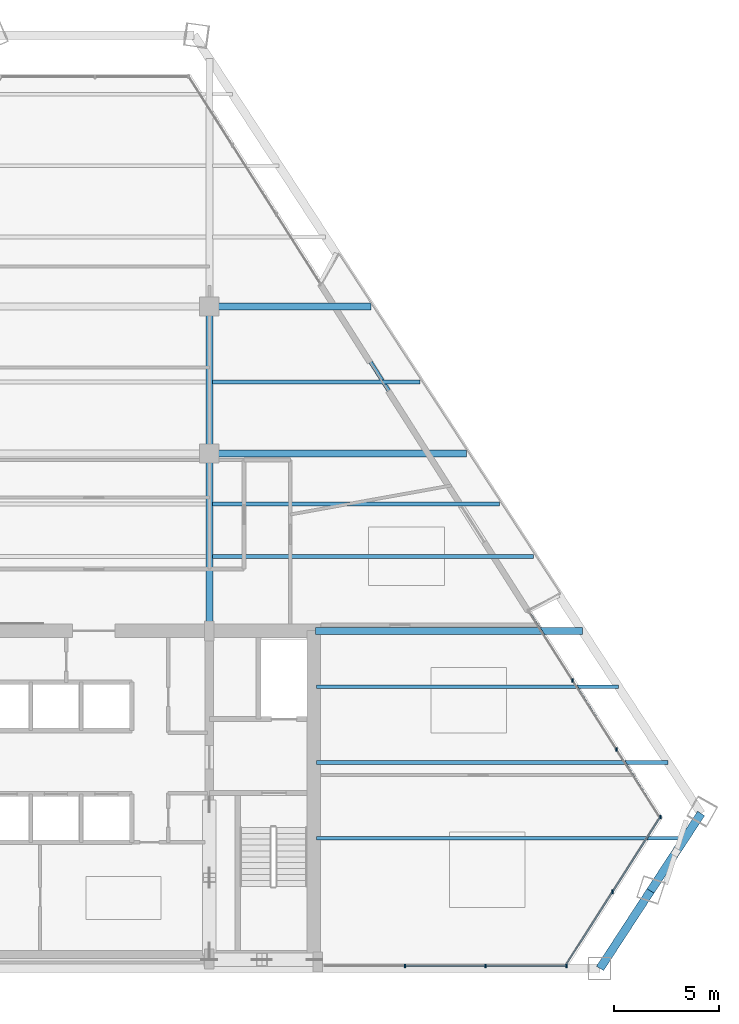
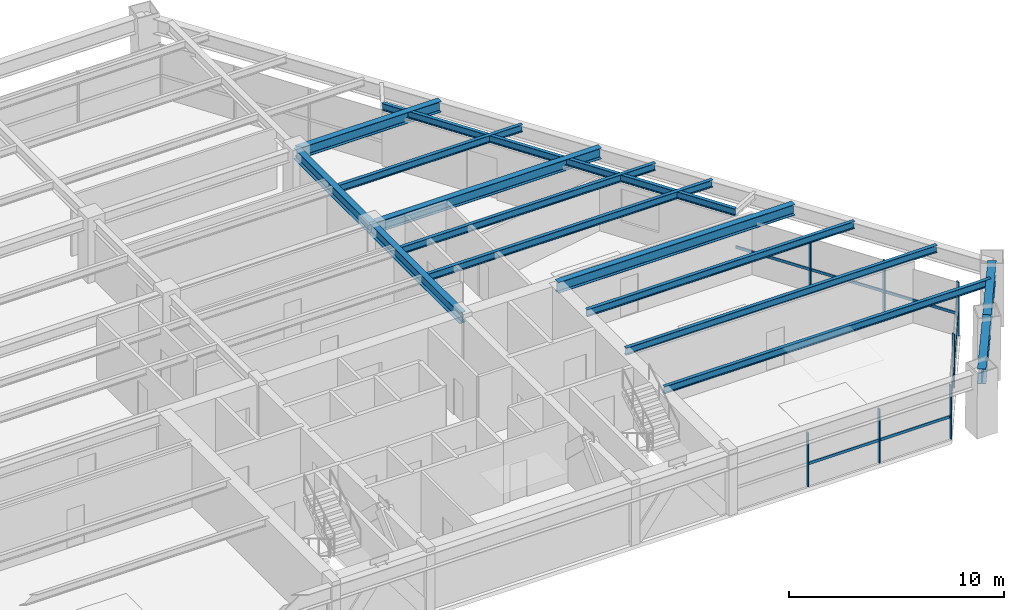
# One storey, part 6 of 15: 14 beams, 14 members, 3 elements without a shape of their own.
"""IFC4 building model written with IfcOpenShell, lengths in metres."""

from ifc_helpers import new_model, si_unit, direction, frame, origin, origin_2d, place, context, subcontext, project, spatial, rectangle, i_section, extrude, source, transform, mapped, material, material_profile, profile_set, type_object, type_shapes, element, aggregate, save


model = new_model("IFC4")

# Units and contexts
model_context = context("Model", 3, precision=1e-05, world=origin(), true_north=direction((0.0, 1.0)))
body_context = subcontext(model_context, "Body", "Model", "MODEL_VIEW")
ifc_project = project(units=[si_unit("LENGTHUNIT", "METRE"), si_unit("AREAUNIT", "SQUARE_METRE"), si_unit("VOLUMEUNIT", "CUBIC_METRE"), si_unit("PLANEANGLEUNIT", "RADIAN"), si_unit("MASSUNIT", "GRAM", prefix="KILO")], contexts=[model_context])

# Site, building, storey
site_placement = place(None, origin())
site = spatial("IfcSite", under=ifc_project, at=site_placement, CompositionType="ELEMENT")
building_placement = place(site_placement, origin())
building = spatial("IfcBuilding", under=site, at=building_placement, Name="Varnakhor Terracotta Tower", CompositionType="ELEMENT")
storey_placement = place(building_placement, frame((0.0, 0.0, 158.89990234375)))
storey = spatial("IfcBuildingStorey", under=building, at=storey_placement, Name="L40", CompositionType="ELEMENT", Elevation=158.89990234375)

# Beams
ifc_material_1 = material(Name="Steel S355", Category="steel")
ifc_material_profile_1 = material_profile(ifc_material_1, i_section(OverallWidth=0.324951171875, OverallDepth=0.615966796875, WebThickness=0.013916015625, FlangeThickness=0.02197265625, FilletRadius=0.01806640625, at=origin_2d()), Name="W24X117")
ifc_profile_set_1 = profile_set([ifc_material_profile_1], Name="Steel S355")
beam_type_1 = type_object("IfcBeamType", Name="BM-W24X117", PredefinedType="BEAM", material=ifc_profile_set_1)
shared_shape_1 = source(origin(), body_context, "Body", "SweptSolid", [
    extrude(i_section(OverallWidth=0.324951171875, OverallDepth=0.615966796875, WebThickness=0.013916015625, FlangeThickness=0.02197265625, FilletRadius=0.01806640625, at=origin_2d()), origin(), (0.0, 0.0, 1.0), 8.449951171875),
])
type_shapes(beam_type_1, [shared_shape_1])
beam_1_placement = place(storey_placement, frame((5.5, 16.050048828125, 3.162109375), z_axis=(0.0, 1.0, 0.0), x_axis=(-1.0, 0.0, 0.0)))
element("IfcBeam", 1, at=beam_1_placement, inside=storey, type_object=beam_type_1, Name="L40 Primary Girder NS1-E", PredefinedType="BEAM", context=body_context, shape_type="MappedRepresentation", body=[
    mapped(shared_shape_1, transform((0.0, 0.0, 0.0), scale=1.0)),
])
shared_shape_2 = source(origin(), body_context, "Body", "SweptSolid", [
    extrude(i_section(OverallWidth=0.324951171875, OverallDepth=0.615966796875, WebThickness=0.013916015625, FlangeThickness=0.02197265625, FilletRadius=0.01806640625, at=origin_2d()), origin(), (0.0, 0.0, 1.0), 7.0),
])
beam_2_placement = place(storey_placement, frame((5.5, 24.5, 3.162109375), z_axis=(0.0, 1.0, 0.0), x_axis=(-1.0, 0.0, 0.0)))
element("IfcBeam", 2, at=beam_2_placement, inside=storey, type_object=beam_type_1, Name="L40 Primary Girder NS2-E", PredefinedType="BEAM", context=body_context, shape_type="MappedRepresentation", body=[
    mapped(shared_shape_2, transform((0.0, 0.0, 0.0), scale=1.0)),
])
ifc_material_profile_2 = material_profile(ifc_material_1, i_section(OverallWidth=0.39990234375, OverallDepth=0.85498046875, WebThickness=0.01806640625, FlangeThickness=0.029052734375, FilletRadius=0.01806640625, at=origin_2d()), Name="W33X201")
ifc_profile_set_2 = profile_set([ifc_material_profile_2], Name="Steel S355")
beam_type_2 = type_object("IfcBeamType", Name="BM-W33X201", PredefinedType="BEAM", material=ifc_profile_set_2)
shared_shape_3 = source(origin(), body_context, "Body", "SweptSolid", [
    extrude(i_section(OverallWidth=0.39990234375, OverallDepth=0.85498046875, WebThickness=0.01806640625, FlangeThickness=0.029052734375, FilletRadius=0.01806640625, at=origin_2d()), origin(), (0.0, 0.0, 1.0), 4.401611328125),
])
for number, where, z_axis, x_axis, name in (
    (3, (24.0908203125, 0.0, 3.04248046875), (0.54632699544, 0.837571975446, 0.0), (-0.837571975446, 0.54632699544, 0.0), "L40 Perimeter Spandrel 2"),
    (4, (26.49560546875, 3.686767578125, 3.04248046875), (0.5463912848, 0.837530037608, 0.0), (-0.837530037608, 0.5463912848, 0.0), "L40 Perimeter Spandrel 3"),
):
    element("IfcBeam", number, at=place(storey_placement, frame(where, z_axis=z_axis, x_axis=x_axis)), inside=storey, type_object=beam_type_2, Name=name, PredefinedType="BEAM", context=body_context, shape_type="MappedRepresentation", body=[
        mapped(shared_shape_3, transform((0.0, 0.0, 0.0), scale=1.0)),
    ])
ifc_material_profile_3 = material_profile(ifc_material_1, i_section(OverallWidth=0.179931640625, OverallDepth=0.39990234375, WebThickness=0.008544921875, FlangeThickness=0.013427734375, FilletRadius=0.01806640625, at=origin_2d()), Name="IPE400")
ifc_profile_set_3 = profile_set([ifc_material_profile_3], Name="Steel S355")
beam_type_3 = type_object("IfcBeamType", Name="JST-IPE400", PredefinedType="JOIST", material=ifc_profile_set_3)
shared_shape_4 = source(origin(), body_context, "Body", "SweptSolid", [
    extrude(i_section(OverallWidth=0.179931640625, OverallDepth=0.39990234375, WebThickness=0.008544921875, FlangeThickness=0.013427734375, FilletRadius=0.01806640625, at=origin_2d()), origin(), (0.0, 0.0, 1.0), 18.504638671875),
])
beam_3_placement = place(storey_placement, frame((20.699462890625, 17.005859375, 3.27001953125), z_axis=(-0.536286313739, 0.844036130563, 0.0), x_axis=(-0.844036130563, -0.536286313739, 0.0)))
element("IfcBeam", 5, at=beam_3_placement, inside=storey, type_object=beam_type_3, Name="L40 Loggia Edge Beam 1", PredefinedType="JOIST", context=body_context, shape_type="MappedRepresentation", body=[
    mapped(shared_shape_4, transform((0.0, 0.0, 0.0), scale=1.0)),
])
shared_shape_5 = source(origin(), body_context, "Body", "SweptSolid", [
    extrude(i_section(OverallWidth=0.324951171875, OverallDepth=0.615966796875, WebThickness=0.013916015625, FlangeThickness=0.02197265625, FilletRadius=0.01806640625, at=origin_2d()), origin(), (0.0, 0.0, 1.0), 12.69775390625),
])
beam_4_placement = place(storey_placement, frame((10.550048828125, 16.050048828125, 3.162109375), z_axis=(1.0, 0.0, 0.0), x_axis=(0.0, 1.0, 0.0)))
element("IfcBeam", 6, at=beam_4_placement, inside=storey, type_object=beam_type_1, Name="L40 Wing Girder E", PredefinedType="BEAM", context=body_context, shape_type="MappedRepresentation", body=[
    mapped(shared_shape_5, transform((0.0, 0.0, 0.0), scale=1.0)),
])
shared_shape_6 = source(origin(), body_context, "Body", "SweptSolid", [
    extrude(i_section(OverallWidth=0.324951171875, OverallDepth=0.615966796875, WebThickness=0.013916015625, FlangeThickness=0.02197265625, FilletRadius=0.01806640625, at=origin_2d()), origin(), (0.0, 0.0, 1.0), 12.242431640625),
])
beam_5_placement = place(storey_placement, frame((5.5, 24.5, 3.162109375), z_axis=(1.0, 0.0, 0.0), x_axis=(0.0, 1.0, 0.0)))
element("IfcBeam", 7, at=beam_5_placement, inside=storey, type_object=beam_type_1, Name="L40 Primary Girder EW2-3", PredefinedType="BEAM", context=body_context, shape_type="MappedRepresentation", body=[
    mapped(shared_shape_6, transform((0.0, 0.0, 0.0), scale=1.0)),
])
shared_shape_7 = source(origin(), body_context, "Body", "SweptSolid", [
    extrude(i_section(OverallWidth=0.324951171875, OverallDepth=0.615966796875, WebThickness=0.013916015625, FlangeThickness=0.02197265625, FilletRadius=0.01806640625, at=origin_2d()), origin(), (0.0, 0.0, 1.0), 7.681884765625),
])
beam_6_placement = place(storey_placement, frame((5.5, 31.5, 3.162109375), z_axis=(1.0, 0.0, 0.0), x_axis=(0.0, 1.0, 0.0)))
element("IfcBeam", 8, at=beam_6_placement, inside=storey, type_object=beam_type_1, Name="L40 Primary Girder EW3-3", PredefinedType="BEAM", context=body_context, shape_type="MappedRepresentation", body=[
    mapped(shared_shape_7, transform((0.0, 0.0, 0.0), scale=1.0)),
])
ifc_material_profile_4 = material_profile(ifc_material_1, i_section(OverallWidth=0.179931640625, OverallDepth=0.4130859375, WebThickness=0.009765625, FlangeThickness=0.01611328125, FilletRadius=0.01806640625, at=origin_2d()), Name="W16X50")
ifc_profile_set_4 = profile_set([ifc_material_profile_4], Name="Steel S355")
beam_type_4 = type_object("IfcBeamType", Name="JST-W16X50", PredefinedType="JOIST", material=ifc_profile_set_4)
shared_shape_8 = source(origin(), body_context, "Body", "SweptSolid", [
    extrude(i_section(OverallWidth=0.179931640625, OverallDepth=0.4130859375, WebThickness=0.009765625, FlangeThickness=0.01611328125, FilletRadius=0.01806640625, at=origin_2d()), origin(), (0.0, 0.0, 1.0), 17.53515625),
])
beam_7_placement = place(storey_placement, frame((10.60009765625, 6.199951171875, 3.263671875), z_axis=(1.0, 0.0, 0.0), x_axis=(0.0, 1.0, 0.0)))
element("IfcBeam", 9, at=beam_7_placement, inside=storey, type_object=beam_type_4, Name="L40 Floor Joist E1", PredefinedType="JOIST", context=body_context, shape_type="MappedRepresentation", body=[
    mapped(shared_shape_8, transform((0.0, 0.0, 0.0), scale=1.0)),
])
shared_shape_9 = source(origin(), body_context, "Body", "SweptSolid", [
    extrude(i_section(OverallWidth=0.179931640625, OverallDepth=0.4130859375, WebThickness=0.009765625, FlangeThickness=0.01611328125, FilletRadius=0.01806640625, at=origin_2d()), origin(), (0.0, 0.0, 1.0), 16.719482421875),
])
beam_8_placement = place(storey_placement, frame((10.60009765625, 9.800048828125, 3.263671875), z_axis=(1.0, 0.0, 0.0), x_axis=(0.0, 1.0, 0.0)))
element("IfcBeam", 10, at=beam_8_placement, inside=storey, type_object=beam_type_4, Name="L40 Floor Joist E2", PredefinedType="JOIST", context=body_context, shape_type="MappedRepresentation", body=[
    mapped(shared_shape_9, transform((0.0, 0.0, 0.0), scale=1.0)),
])
shared_shape_10 = source(origin(), body_context, "Body", "SweptSolid", [
    extrude(i_section(OverallWidth=0.179931640625, OverallDepth=0.4130859375, WebThickness=0.009765625, FlangeThickness=0.01611328125, FilletRadius=0.01806640625, at=origin_2d()), origin(), (0.0, 0.0, 1.0), 14.3740234375),
])
beam_9_placement = place(storey_placement, frame((10.60009765625, 13.39990234375, 3.263671875), z_axis=(1.0, 0.0, 0.0), x_axis=(0.0, 1.0, 0.0)))
element("IfcBeam", 11, at=beam_9_placement, inside=storey, type_object=beam_type_4, Name="L40 Floor Joist E3", PredefinedType="JOIST", context=body_context, shape_type="MappedRepresentation", body=[
    mapped(shared_shape_10, transform((0.0, 0.0, 0.0), scale=1.0)),
])
shared_shape_11 = source(origin(), body_context, "Body", "SweptSolid", [
    extrude(i_section(OverallWidth=0.179931640625, OverallDepth=0.4130859375, WebThickness=0.009765625, FlangeThickness=0.01611328125, FilletRadius=0.01806640625, at=origin_2d()), origin(), (0.0, 0.0, 1.0), 15.2763671875),
])
beam_10_placement = place(storey_placement, frame((5.658447265625, 19.60009765625, 3.263671875), z_axis=(1.0, 0.0, 0.0), x_axis=(0.0, 1.0, 0.0)))
element("IfcBeam", 12, at=beam_10_placement, inside=storey, type_object=beam_type_4, Name="L40 Composite Floor Joist 4-3", PredefinedType="JOIST", context=body_context, shape_type="MappedRepresentation", body=[
    mapped(shared_shape_11, transform((0.0, 0.0, 0.0), scale=1.0)),
])
shared_shape_12 = source(origin(), body_context, "Body", "SweptSolid", [
    extrude(i_section(OverallWidth=0.179931640625, OverallDepth=0.4130859375, WebThickness=0.009765625, FlangeThickness=0.01611328125, FilletRadius=0.01806640625, at=origin_2d()), origin(), (0.0, 0.0, 1.0), 13.647705078125),
])
beam_11_placement = place(storey_placement, frame((5.658447265625, 22.10009765625, 3.263671875), z_axis=(1.0, 0.0, 0.0), x_axis=(0.0, 1.0, 0.0)))
element("IfcBeam", 13, at=beam_11_placement, inside=storey, type_object=beam_type_4, Name="L40 Composite Floor Joist 5-3", PredefinedType="JOIST", context=body_context, shape_type="MappedRepresentation", body=[
    mapped(shared_shape_12, transform((0.0, 0.0, 0.0), scale=1.0)),
])
shared_shape_13 = source(origin(), body_context, "Body", "SweptSolid", [
    extrude(i_section(OverallWidth=0.179931640625, OverallDepth=0.4130859375, WebThickness=0.009765625, FlangeThickness=0.01611328125, FilletRadius=0.01806640625, at=origin_2d()), origin(), (0.0, 0.0, 1.0), 9.868896484375),
])
beam_12_placement = place(storey_placement, frame((5.658447265625, 27.89990234375, 3.263671875), z_axis=(1.0, 0.0, 0.0), x_axis=(0.0, 1.0, 0.0)))
element("IfcBeam", 14, at=beam_12_placement, inside=storey, type_object=beam_type_4, Name="L40 Composite Floor Joist 6-3", PredefinedType="JOIST", context=body_context, shape_type="MappedRepresentation", body=[
    mapped(shared_shape_13, transform((0.0, 0.0, 0.0), scale=1.0)),
])

# Curtain wall, members
ifc_material_2 = material(Name="Anodised Aluminium Curtain Wall System", Category="aluminium")
curtain_wall_type = type_object("IfcCurtainWallType", Name="CW-SYS-MID-OFFICE", PredefinedType="NOTDEFINED", material=ifc_material_2)
curtain_wall_1_placement = place(storey_placement, origin())
curtain_wall_1 = element("IfcCurtainWall", 15, at=curtain_wall_1_placement, inside=storey, type_object=curtain_wall_type, Name="L40 E Facet Curtain Wall 2", PredefinedType="NOTDEFINED")
ifc_material_3 = material(Name="Anodised Aluminium 6063-T6", Category="aluminium")
ifc_material_profile_5 = material_profile(ifc_material_3, rectangle(XDim=0.070068359375, YDim=0.175048828125, at=origin_2d()), Name="ALU MULLION 70x175")
ifc_profile_set_5 = profile_set([ifc_material_profile_5], Name="Anodised Aluminium 6063-T6")
member_type_1 = type_object("IfcMemberType", Name="CWM-03", PredefinedType="MULLION", material=ifc_profile_set_5)
shared_shape_14 = source(origin(), body_context, "Body", "SweptSolid", [
    extrude(rectangle(XDim=0.070068359375, YDim=0.175048828125, at=origin_2d()), origin(), (0.0, 0.0, 1.0), 3.050048828125),
])
member_1_placement = place(storey_placement, frame((22.7880859375, 13.704345703125, 0.0), z_axis=(0.0, 0.0, 1.0), x_axis=(1.0, 0.0, 0.0)))
member_1 = element("IfcMember", 16, at=member_1_placement, type_object=member_type_1, Name="L40 E Facet Curtain Wall 2 Mullion 2", PredefinedType="MULLION", context=body_context, shape_type="MappedRepresentation", body=[
    mapped(shared_shape_14, transform((0.0, 0.0, 0.0), scale=1.0)),
])
member_2_placement = place(storey_placement, frame((24.8759765625, 10.41943359375, 0.0), z_axis=(0.0, 0.0, 1.0), x_axis=(1.0, 0.0, 0.0)))
member_2 = element("IfcMember", 17, at=member_2_placement, type_object=member_type_1, Name="L40 E Facet Curtain Wall 2 Mullion 3", PredefinedType="MULLION", context=body_context, shape_type="MappedRepresentation", body=[
    mapped(shared_shape_14, transform((0.0, 0.0, 0.0), scale=1.0)),
])

curtain_wall_2_placement = place(storey_placement, origin())
curtain_wall_2 = element("IfcCurtainWall", 18, at=curtain_wall_2_placement, inside=storey, type_object=curtain_wall_type, Name="L40 Facet Curtain Wall 4", PredefinedType="NOTDEFINED")
member_3_placement = place(storey_placement, frame((26.964111328125, 7.212890625, 0.0), z_axis=(0.0, 0.0, 1.0), x_axis=(1.0, 0.0, 0.0)))
member_3 = element("IfcMember", 19, at=member_3_placement, type_object=member_type_1, Name="L40 Facet Curtain Wall 4 Mullion 1", PredefinedType="MULLION", context=body_context, shape_type="MappedRepresentation", body=[
    mapped(shared_shape_14, transform((0.0, 0.0, 0.0), scale=1.0)),
])
member_4_placement = place(storey_placement, frame((24.689208984375, 3.6513671875, 0.0), z_axis=(0.0, 0.0, 1.0), x_axis=(1.0, 0.0, 0.0)))
member_4 = element("IfcMember", 20, at=member_4_placement, type_object=member_type_1, Name="L40 Facet Curtain Wall 4 Mullion 2", PredefinedType="MULLION", context=body_context, shape_type="MappedRepresentation", body=[
    mapped(shared_shape_14, transform((0.0, 0.0, 0.0), scale=1.0)),
])

curtain_wall_3_placement = place(storey_placement, origin())
curtain_wall_3 = element("IfcCurtainWall", 21, at=curtain_wall_3_placement, inside=storey, type_object=curtain_wall_type, Name="L40 South Wing Curtain Wall SSE", PredefinedType="NOTDEFINED")
member_5_placement = place(storey_placement, frame((22.4892578125, 0.1201171875, 0.0), z_axis=(0.0, 0.0, 1.0), x_axis=(1.0, 0.0, 0.0)))
member_5 = element("IfcMember", 22, at=member_5_placement, type_object=member_type_1, Name="L40 South Wing Curtain Wall SSE Mullion 1", PredefinedType="MULLION", context=body_context, shape_type="MappedRepresentation", body=[
    mapped(shared_shape_14, transform((0.0, 0.0, 0.0), scale=1.0)),
])
member_6_placement = place(storey_placement, frame((18.6494140625, 0.1201171875, 0.0), z_axis=(0.0, 0.0, 1.0), x_axis=(1.0, 0.0, 0.0)))
member_6 = element("IfcMember", 23, at=member_6_placement, type_object=member_type_1, Name="L40 South Wing Curtain Wall SSE Mullion 2", PredefinedType="MULLION", context=body_context, shape_type="MappedRepresentation", body=[
    mapped(shared_shape_14, transform((0.0, 0.0, 0.0), scale=1.0)),
])
member_7_placement = place(storey_placement, frame((14.809814453125, 0.1201171875, 0.0), z_axis=(0.0, 0.0, 1.0), x_axis=(1.0, 0.0, 0.0)))
member_7 = element("IfcMember", 24, at=member_7_placement, type_object=member_type_1, Name="L40 South Wing Curtain Wall SSE Mullion 3", PredefinedType="MULLION", context=body_context, shape_type="MappedRepresentation", body=[
    mapped(shared_shape_14, transform((0.0, 0.0, 0.0), scale=1.0)),
])
ifc_material_profile_6 = material_profile(ifc_material_3, rectangle(XDim=0.070068359375, YDim=0.155029296875, at=origin_2d()), Name="ALU TRANSOM 70x155")
ifc_profile_set_6 = profile_set([ifc_material_profile_6], Name="Anodised Aluminium 6063-T6")
member_type_2 = type_object("IfcMemberType", Name="CWT-03", PredefinedType="USERDEFINED", material=ifc_profile_set_6)
shared_shape_15 = source(origin(), body_context, "Body", "SweptSolid", [
    extrude(rectangle(XDim=0.070068359375, YDim=0.155029296875, at=origin_2d()), origin(), (0.0, 0.0, 1.0), 3.83984375),
])
member_8_placement = place(storey_placement, frame((22.4892578125, 0.1201171875, 1.281005859375), z_axis=(-1.0, 0.0, 0.0), x_axis=(0.0, -1.0, 0.0)))
member_8 = element("IfcMember", 25, at=member_8_placement, type_object=member_type_2, Name="L40 South Wing Curtain Wall SSE Transom 1", ObjectType="TRANSOM", PredefinedType="USERDEFINED", context=body_context, shape_type="MappedRepresentation", body=[
    mapped(shared_shape_15, transform((0.0, 0.0, 0.0), scale=1.0)),
])
shared_shape_16 = source(origin(), body_context, "Body", "SweptSolid", [
    extrude(rectangle(XDim=0.070068359375, YDim=0.155029296875, at=origin_2d()), origin(), (0.0, 0.0, 1.0), 3.839599609375),
])
member_9_placement = place(storey_placement, frame((18.6494140625, 0.1201171875, 1.281005859375), z_axis=(-1.0, 0.0, 0.0), x_axis=(0.0, -1.0, 0.0)))
member_9 = element("IfcMember", 26, at=member_9_placement, type_object=member_type_2, Name="L40 South Wing Curtain Wall SSE Transom 2", ObjectType="TRANSOM", PredefinedType="USERDEFINED", context=body_context, shape_type="MappedRepresentation", body=[
    mapped(shared_shape_16, transform((0.0, 0.0, 0.0), scale=1.0)),
])
aggregate(curtain_wall_3, [member_5, member_8, member_6, member_9, member_7])

# Member
shared_shape_17 = source(origin(), body_context, "Body", "SweptSolid", [
    extrude(rectangle(XDim=0.070068359375, YDim=0.155029296875, at=origin_2d()), origin(), (0.0, 0.0, 1.0), 3.892333984375),
])
member_10_placement = place(storey_placement, frame((22.7880859375, 13.704345703125, 1.281005859375), z_axis=(0.536416788761, -0.843953214778, 0.0), x_axis=(0.843953214778, 0.536416788761, 0.0)))
member_10 = element("IfcMember", 27, at=member_10_placement, type_object=member_type_2, Name="L40 E Facet Curtain Wall 2 Transom 2", ObjectType="TRANSOM", PredefinedType="USERDEFINED", context=body_context, shape_type="MappedRepresentation", body=[
    mapped(shared_shape_17, transform((0.0, 0.0, 0.0), scale=1.0)),
])

member_11_placement = place(storey_placement, frame((24.8759765625, 10.41943359375, 1.281005859375), z_axis=(0.536416788761, -0.843953214778, 0.0), x_axis=(0.843953214778, 0.536416788761, 0.0)))
member_11 = element("IfcMember", 28, at=member_11_placement, type_object=member_type_2, Name="L40 E Facet Curtain Wall 2 Transom 3", ObjectType="TRANSOM", PredefinedType="USERDEFINED", context=body_context, shape_type="MappedRepresentation", body=[
    mapped(shared_shape_17, transform((0.0, 0.0, 0.0), scale=1.0)),
])

shared_shape_18 = source(origin(), body_context, "Body", "SweptSolid", [
    extrude(rectangle(XDim=0.070068359375, YDim=0.155029296875, at=origin_2d()), origin(), (0.0, 0.0, 1.0), 3.89208984375),
])
member_12_placement = place(storey_placement, frame((20.7001953125, 16.989013671875, 1.281005859375), z_axis=(0.536445185846, -0.843935164917, 0.0), x_axis=(0.843935164917, 0.536445185846, 0.0)))
member_12 = element("IfcMember", 29, at=member_12_placement, type_object=member_type_2, Name="L40 E Facet Curtain Wall 2 Transom 1", ObjectType="TRANSOM", PredefinedType="USERDEFINED", context=body_context, shape_type="MappedRepresentation", body=[
    mapped(shared_shape_18, transform((0.0, 0.0, 0.0), scale=1.0)),
])

aggregate(curtain_wall_1, [member_12, member_1, member_10, member_2, member_11])

shared_shape_19 = source(origin(), body_context, "Body", "SweptSolid", [
    extrude(rectangle(XDim=0.070068359375, YDim=0.155029296875, at=origin_2d()), origin(), (0.0, 0.0, 1.0), 4.22607421875),
])
member_13_placement = place(storey_placement, frame((26.964111328125, 7.212890625, 1.281005859375), z_axis=(-0.53830266645, -0.842751588128, 0.0), x_axis=(0.842751588128, -0.53830266645, 0.0)))
member_13 = element("IfcMember", 30, at=member_13_placement, type_object=member_type_2, Name="L40 Facet Curtain Wall 4 Transom 1", ObjectType="TRANSOM", PredefinedType="USERDEFINED", context=body_context, shape_type="MappedRepresentation", body=[
    mapped(shared_shape_19, transform((0.0, 0.0, 0.0), scale=1.0)),
])

member_14_placement = place(storey_placement, frame((24.689208984375, 3.6513671875, 1.281005859375), z_axis=(-0.53830266645, -0.842751588128, 0.0), x_axis=(0.842751588128, -0.53830266645, 0.0)))
member_14 = element("IfcMember", 31, at=member_14_placement, type_object=member_type_2, Name="L40 Facet Curtain Wall 4 Transom 2", ObjectType="TRANSOM", PredefinedType="USERDEFINED", context=body_context, shape_type="MappedRepresentation", body=[
    mapped(shared_shape_19, transform((0.0, 0.0, 0.0), scale=1.0)),
])

aggregate(curtain_wall_2, [member_3, member_13, member_4, member_14])

save(model, "model.ifc")
